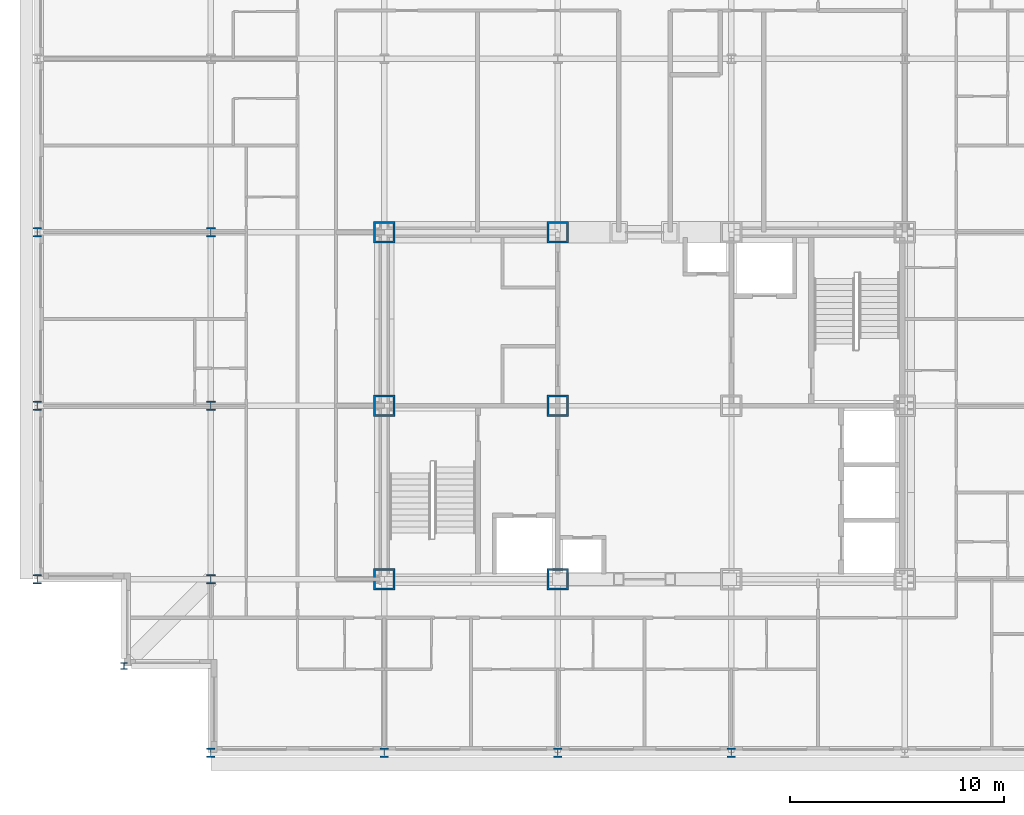
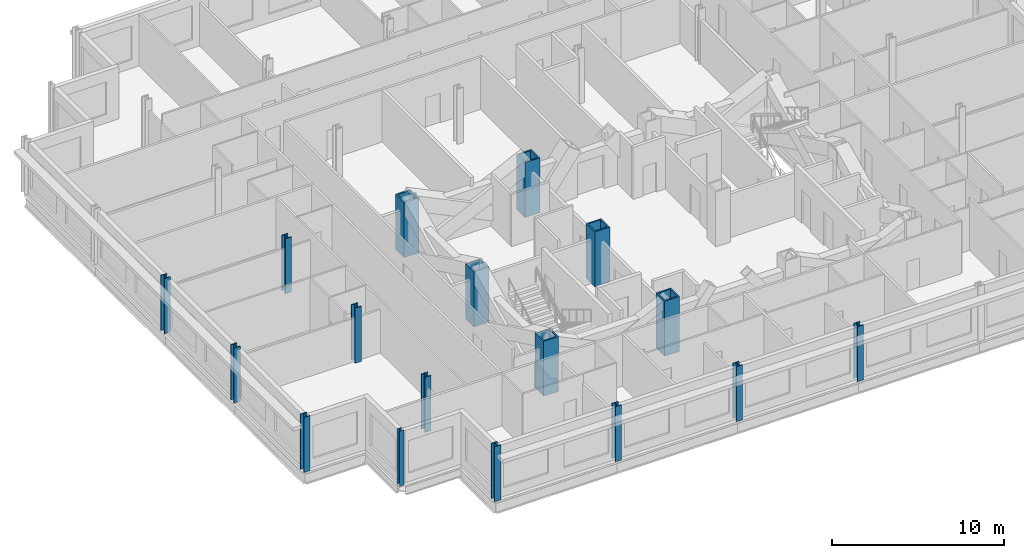
# One storey, part 1 of 15: 17 columns.
"""IFC4 building model written with IfcOpenShell, lengths in metres."""

from ifc_helpers import new_model, si_unit, direction, frame, origin, origin_2d, place, context, subcontext, project, spatial, hollow_rectangle, i_section, extrude, material, material_profile, profile_set, type_object, element, save


model = new_model("IFC4")

# Units and contexts
model_context = context("Model", 3, precision=1e-05, world=origin(), true_north=direction((0.0, 1.0)))
body_context = subcontext(model_context, "Body", "Model", "MODEL_VIEW")
ifc_project = project(units=[si_unit("LENGTHUNIT", "METRE"), si_unit("AREAUNIT", "SQUARE_METRE"), si_unit("VOLUMEUNIT", "CUBIC_METRE"), si_unit("PLANEANGLEUNIT", "RADIAN"), si_unit("MASSUNIT", "GRAM", prefix="KILO")], contexts=[model_context])

# Site, building, storey
site_placement = place(None, origin())
site = spatial("IfcSite", under=ifc_project, at=site_placement, CompositionType="ELEMENT")
building_placement = place(site_placement, origin())
building = spatial("IfcBuilding", under=site, at=building_placement, Name="Kopane Lantern Tower", CompositionType="ELEMENT")
storey_placement = place(building_placement, frame((0.0, 0.0, 246.300048828125)))
storey = spatial("IfcBuildingStorey", under=building, at=storey_placement, Name="L63", CompositionType="ELEMENT", Elevation=246.300048828125)

# Columns
ifc_material_1 = material(Name="Steel S355JR", Category="steel")
ifc_material_profile_1 = material_profile(ifc_material_1, hollow_rectangle(XDim=1.0, YDim=1.0, WallThickness=0.10009765625, at=origin_2d()), Name="BOX 1000x1000x100")
ifc_profile_set_1 = profile_set([ifc_material_profile_1], Name="Steel S355JR")
column_type_1 = type_object("IfcColumnType", Name="COLUMN BOX 1000x1000x100", PredefinedType="COLUMN", material=ifc_profile_set_1)
for number, where, z_axis, x_axis, name in (
    (1, (16.199951171875, 24.300048828125, 0.0), (0.0, 0.0, 1.0), (1.0, 0.0, 0.0), "Column 4/E L63"),
    (2, (16.199951171875, 32.39990234375, 0.0), (0.0, 0.0, 1.0), (1.0, 0.0, 0.0), "Column 4/F L63"),
    (3, (16.199951171875, 40.5, 0.0), (0.0, 0.0, 1.0), (1.0, 0.0, 0.0), "Column 4/G L63"),
    (4, (24.300048828125, 24.300048828125, 0.0), (0.0, 0.0, 1.0), (1.0, 0.0, 0.0), "Column 5/E L63"),
    (5, (24.300048828125, 32.39990234375, 0.0), (0.0, 0.0, 1.0), (1.0, 0.0, 0.0), "Column 5/F L63"),
    (6, (24.300048828125, 40.5, 0.0), (0.0, 0.0, 1.0), (1.0, 0.0, 0.0), "Column 5/G L63"),
):
    element("IfcColumn", number, at=place(storey_placement, frame(where, z_axis=z_axis, x_axis=x_axis)), inside=storey, type_object=column_type_1, Name=name, PredefinedType="COLUMN", context=body_context, shape_type="SweptSolid", body=[
        extrude(hollow_rectangle(XDim=1.0, YDim=1.0, WallThickness=0.10009765625, at=origin_2d()), origin(), (0.0, 0.0, 1.0), 3.89990234375),
    ])
ifc_material_2 = material(Name="Steel S355JR", Category="steel")
ifc_material_profile_2 = material_profile(ifc_material_2, i_section(OverallWidth=0.307373046875, OverallDepth=0.314453125, WebThickness=0.011962890625, FlangeThickness=0.018798828125, FilletRadius=0.01513671875, at=origin_2d()), Name="UC 305x305x118")
ifc_profile_set_2 = profile_set([ifc_material_profile_2], Name="Steel S355JR")
column_type_2 = type_object("IfcColumnType", Name="COLUMN UC 305x305x118", PredefinedType="COLUMN", material=ifc_profile_set_2)
column_placement = place(storey_placement, frame((4.050048828125, 20.25, 0.0), z_axis=(0.0, 0.0, 1.0), x_axis=(1.0, 0.0, 0.0)))
element("IfcColumn", 7, at=column_placement, inside=storey, type_object=column_type_2, Name="Column 4.05/20.25 L63", PredefinedType="COLUMN", context=body_context, shape_type="SweptSolid", body=[
    extrude(i_section(OverallWidth=0.307373046875, OverallDepth=0.314453125, WebThickness=0.011962890625, FlangeThickness=0.018798828125, FilletRadius=0.01513671875, at=origin_2d()), origin(), (0.0, 0.0, 1.0), 3.89990234375),
])
ifc_material_3 = material(Name="Steel S355JR", Category="steel")
ifc_material_profile_3 = material_profile(ifc_material_3, i_section(OverallWidth=0.412109375, OverallDepth=0.4365234375, WebThickness=0.035888671875, FlangeThickness=0.05810546875, FilletRadius=0.01513671875, at=origin_2d()), Name="UC 356x406x467")
ifc_profile_set_3 = profile_set([ifc_material_profile_3], Name="Steel S355JR")
column_type_3 = type_object("IfcColumnType", Name="COLUMN UC 356x406x467", PredefinedType="COLUMN", material=ifc_profile_set_3)
for number, where, z_axis, x_axis, name in (
    (8, (0.0, 24.300048828125, 0.0), (0.0, 0.0, 1.0), (1.0, 0.0, 0.0), "Column 2/E L63"),
    (9, (0.0, 32.39990234375, 0.0), (0.0, 0.0, 1.0), (1.0, 0.0, 0.0), "Column 2/F L63"),
    (10, (0.0, 40.5, 0.0), (0.0, 0.0, 1.0), (1.0, 0.0, 0.0), "Column 2/G L63"),
    (11, (8.10009765625, 16.199951171875, 0.0), (0.0, 0.0, 1.0), (1.0, 0.0, 0.0), "Column 3/D L63"),
    (12, (16.199951171875, 16.199951171875, 0.0), (0.0, 0.0, 1.0), (1.0, 0.0, 0.0), "Column 4/D L63"),
    (13, (24.300048828125, 16.199951171875, 0.0), (0.0, 0.0, 1.0), (1.0, 0.0, 0.0), "Column 5/D L63"),
    (14, (32.39990234375, 16.199951171875, 0.0), (0.0, 0.0, 1.0), (1.0, 0.0, 0.0), "Column 6/D L63"),
):
    element("IfcColumn", number, at=place(storey_placement, frame(where, z_axis=z_axis, x_axis=x_axis)), inside=storey, type_object=column_type_3, Name=name, PredefinedType="COLUMN", context=body_context, shape_type="SweptSolid", body=[
        extrude(i_section(OverallWidth=0.412109375, OverallDepth=0.4365234375, WebThickness=0.035888671875, FlangeThickness=0.05810546875, FilletRadius=0.01513671875, at=origin_2d()), origin(), (0.0, 0.0, 1.0), 3.89990234375),
    ])
ifc_material_4 = material(Name="Steel S355JR", Category="steel")
ifc_material_profile_4 = material_profile(ifc_material_4, i_section(OverallWidth=0.41845703125, OverallDepth=0.45556640625, WebThickness=0.0419921875, FlangeThickness=0.0673828125, FilletRadius=0.01513671875, at=origin_2d()), Name="UC 356x406x551")
ifc_profile_set_4 = profile_set([ifc_material_profile_4], Name="Steel S355JR")
column_type_4 = type_object("IfcColumnType", Name="COLUMN UC 356x406x551", PredefinedType="COLUMN", material=ifc_profile_set_4)
for number, where, z_axis, x_axis, name in (
    (15, (8.10009765625, 24.300048828125, 0.0), (0.0, 0.0, 1.0), (1.0, 0.0, 0.0), "Column 3/E L63"),
    (16, (8.10009765625, 32.39990234375, 0.0), (0.0, 0.0, 1.0), (1.0, 0.0, 0.0), "Column 3/F L63"),
    (17, (8.10009765625, 40.5, 0.0), (0.0, 0.0, 1.0), (1.0, 0.0, 0.0), "Column 3/G L63"),
):
    element("IfcColumn", number, at=place(storey_placement, frame(where, z_axis=z_axis, x_axis=x_axis)), inside=storey, type_object=column_type_4, Name=name, PredefinedType="COLUMN", context=body_context, shape_type="SweptSolid", body=[
        extrude(i_section(OverallWidth=0.41845703125, OverallDepth=0.45556640625, WebThickness=0.0419921875, FlangeThickness=0.0673828125, FilletRadius=0.01513671875, at=origin_2d()), origin(), (0.0, 0.0, 1.0), 3.89990234375),
    ])

save(model, "model.ifc")
